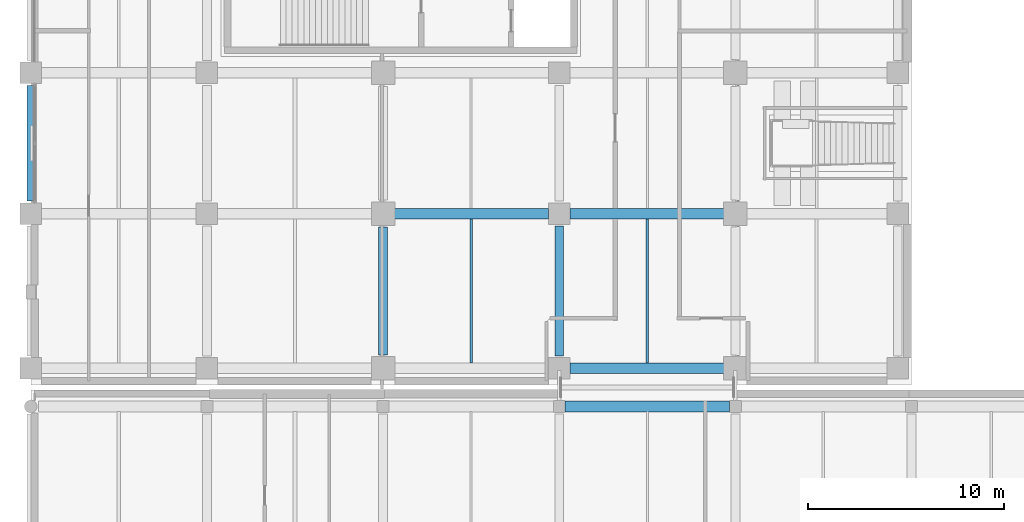
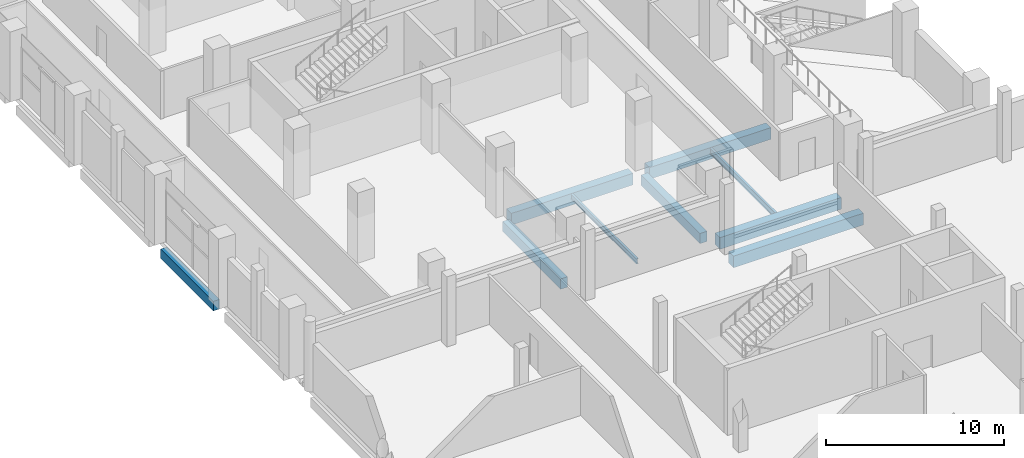
# One storey, part 8 of 100: 9 beams.
"""IFC4 building model written with IfcOpenShell, lengths in metres."""

from ifc_helpers import new_model, si_unit, direction, frame, origin, origin_2d, place, context, subcontext, project, spatial, rectangle, i_section, extrude, material, material_profile, profile_set, type_object, element, save


model = new_model("IFC4")

# Units and contexts
model_context = context("Model", 3, precision=1e-05, world=origin(), true_north=direction((0.0, 1.0)))
body_context = subcontext(model_context, "Body", "Model", "MODEL_VIEW")
ifc_project = project(units=[si_unit("LENGTHUNIT", "METRE"), si_unit("AREAUNIT", "SQUARE_METRE"), si_unit("VOLUMEUNIT", "CUBIC_METRE"), si_unit("PLANEANGLEUNIT", "RADIAN"), si_unit("MASSUNIT", "GRAM", prefix="KILO"), si_unit("THERMODYNAMICTEMPERATUREUNIT", "KELVIN"), si_unit("POWERUNIT", "WATT")], contexts=[model_context])

# Site, building, storey
site_placement = place(None, origin())
site = spatial("IfcSite", under=ifc_project, at=site_placement, CompositionType="ELEMENT")
building_placement = place(site_placement, origin())
building = spatial("IfcBuilding", under=site, at=building_placement, Name="Sindhuravela Promenade Stadium", CompositionType="ELEMENT")
storey_placement = place(building_placement, frame((0.0, 0.0, 4.800048828125)))
storey = spatial("IfcBuildingStorey", under=building, at=storey_placement, Name="L01", CompositionType="ELEMENT", Elevation=4.800048828125)

# Beams
ifc_material_1 = material(Name="Concrete M40", Category="concrete")
ifc_material_profile_1 = material_profile(ifc_material_1, rectangle(XDim=0.39990234375, YDim=0.64990234375, at=origin_2d()), Name="RC 400x650")
ifc_profile_set_1 = profile_set([ifc_material_profile_1], Name="Concrete M40")
beam_type_1 = type_object("IfcBeamType", Name="RC-BM-400x650", PredefinedType="SPANDREL", material=ifc_profile_set_1)
beam_1_placement = place(storey_placement, frame((0.0, 45.639892578125, -0.625), z_axis=(0.0, 1.0, 0.0), x_axis=(-1.0, 0.0, 0.0)))
element("IfcBeam", 1, at=beam_1_placement, inside=storey, type_object=beam_type_1, Name="Primary beam SP01 WEST L01", PredefinedType="SPANDREL", context=body_context, shape_type="SweptSolid", body=[
    extrude(rectangle(XDim=0.39990234375, YDim=0.64990234375, at=origin_2d()), origin(), (0.0, 0.0, 1.0), 5.920166015625),
])
ifc_material_profile_2 = material_profile(ifc_material_1, rectangle(XDim=0.449951171875, YDim=0.699951171875, at=origin_2d()), Name="RC 450x700")
ifc_profile_set_2 = profile_set([ifc_material_profile_2], Name="Concrete M40")
beam_type_2 = type_object("IfcBeamType", Name="RC-BM-450x700", PredefinedType="BEAM", material=ifc_profile_set_2)
beam_2_placement = place(storey_placement, frame((18.0, 37.7900390625, -0.650146484375), z_axis=(0.0, 1.0, 0.0), x_axis=(-1.0, 0.0, 0.0)))
element("IfcBeam", 2, at=beam_2_placement, inside=storey, type_object=beam_type_2, Name="Primary beam GB07 WEST L01", PredefinedType="BEAM", context=body_context, shape_type="SweptSolid", body=[
    extrude(rectangle(XDim=0.449951171875, YDim=0.699951171875, at=origin_2d()), origin(), (0.0, 0.0, 1.0), 6.52001953125),
])
beam_3_placement = place(storey_placement, frame((27.0, 37.739990234375, -0.650146484375), z_axis=(0.0, 1.0, 0.0), x_axis=(-1.0, 0.0, 0.0)))
element("IfcBeam", 3, at=beam_3_placement, inside=storey, type_object=beam_type_2, Name="Primary beam GB07 WEST L01", PredefinedType="BEAM", context=body_context, shape_type="SweptSolid", body=[
    extrude(rectangle(XDim=0.449951171875, YDim=0.699951171875, at=origin_2d()), origin(), (0.0, 0.0, 1.0), 6.6201171875),
])
ifc_material_profile_3 = material_profile(ifc_material_1, rectangle(XDim=0.550048828125, YDim=0.800048828125, at=origin_2d()), Name="RC 550x800")
ifc_profile_set_3 = profile_set([ifc_material_profile_3], Name="Concrete M40")
beam_type_3 = type_object("IfcBeamType", Name="RC-BM-550x800", PredefinedType="BEAM", material=ifc_profile_set_3)
for number, where, z_axis, x_axis, name in (
    (4, (27.5400390625, 37.10009765625, -0.699951171875), (1.0, 0.0, 0.0), (0.0, 1.0, 0.0), "Primary girder GB05 WEST L01"),
    (5, (18.590087890625, 45.0, -0.699951171875), (1.0, 0.0, 0.0), (0.0, 1.0, 0.0), "Primary girder GB05 WEST L01"),
    (6, (27.5400390625, 45.0, -0.699951171875), (1.0, 0.0, 0.0), (0.0, 1.0, 0.0), "Primary girder GB05 WEST L01"),
):
    element("IfcBeam", number, at=place(storey_placement, frame(where, z_axis=z_axis, x_axis=x_axis)), inside=storey, type_object=beam_type_3, Name=name, PredefinedType="BEAM", context=body_context, shape_type="SweptSolid", body=[
        extrude(rectangle(XDim=0.550048828125, YDim=0.800048828125, at=origin_2d()), origin(), (0.0, 0.0, 1.0), 7.869873046875),
    ])
beam_4_placement = place(storey_placement, frame((27.2900390625, 35.14990234375, -0.699951171875), z_axis=(1.0, 0.0, 0.0), x_axis=(0.0, 1.0, 0.0)))
element("IfcBeam", 7, at=beam_4_placement, inside=storey, type_object=beam_type_3, Name="Primary girder GB05 Pavilion SW L01", PredefinedType="BEAM", context=body_context, shape_type="SweptSolid", body=[
    extrude(rectangle(XDim=0.550048828125, YDim=0.800048828125, at=origin_2d()), origin(), (0.0, 0.0, 1.0), 8.419921875),
])
ifc_material_2 = material(Name="Steel E350 (IS 2062 E350BR)", Category="steel")
ifc_material_profile_4 = material_profile(ifc_material_2, i_section(OverallWidth=0.139892578125, OverallDepth=0.35009765625, WebThickness=0.008056640625, FlangeThickness=0.01416015625, FilletRadius=0.013916015625, at=origin_2d()), Name="ISMB 350")
ifc_profile_set_4 = profile_set([ifc_material_profile_4], Name="Steel E350 (IS 2062 E350BR)")
beam_type_4 = type_object("IfcBeamType", Name="ST-BM-MB350", PredefinedType="JOIST", material=ifc_profile_set_4)
beam_5_placement = place(storey_placement, frame((22.5, 37.364990234375, -0.47509765625), z_axis=(0.0, 1.0, 0.0), x_axis=(-1.0, 0.0, 0.0)))
element("IfcBeam", 8, at=beam_5_placement, inside=storey, type_object=beam_type_4, Name="Secondary floor joist SB04 WEST L01", PredefinedType="JOIST", context=body_context, shape_type="SweptSolid", body=[
    extrude(i_section(OverallWidth=0.139892578125, OverallDepth=0.35009765625, WebThickness=0.008056640625, FlangeThickness=0.01416015625, FilletRadius=0.013916015625, at=origin_2d()), origin(), (0.0, 0.0, 1.0), 7.3701171875),
])
ifc_material_profile_5 = material_profile(ifc_material_2, i_section(OverallWidth=0.139892578125, OverallDepth=0.39990234375, WebThickness=0.0087890625, FlangeThickness=0.01611328125, FilletRadius=0.013916015625, at=origin_2d()), Name="ISMB 400")
ifc_profile_set_5 = profile_set([ifc_material_profile_5], Name="Steel E350 (IS 2062 E350BR)")
beam_type_5 = type_object("IfcBeamType", Name="ST-BM-MB400", PredefinedType="BEAM", material=ifc_profile_set_5)
beam_6_placement = place(storey_placement, frame((31.5, 37.364990234375, -0.5), z_axis=(0.0, 1.0, 0.0), x_axis=(-1.0, 0.0, 0.0)))
element("IfcBeam", 9, at=beam_6_placement, inside=storey, type_object=beam_type_5, Name="Secondary floor joist SB05 WEST L01", PredefinedType="BEAM", context=body_context, shape_type="SweptSolid", body=[
    extrude(i_section(OverallWidth=0.139892578125, OverallDepth=0.39990234375, WebThickness=0.0087890625, FlangeThickness=0.01611328125, FilletRadius=0.013916015625, at=origin_2d()), origin(), (0.0, 0.0, 1.0), 7.3701171875),
])

save(model, "model.ifc")
